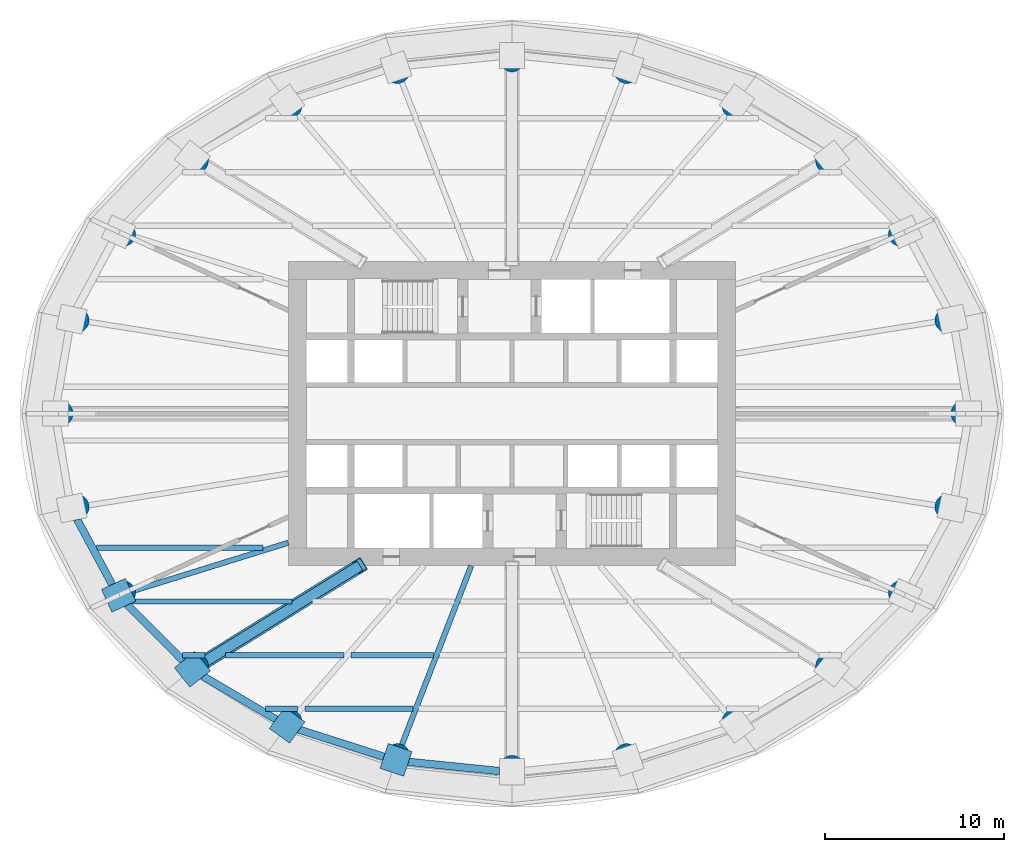
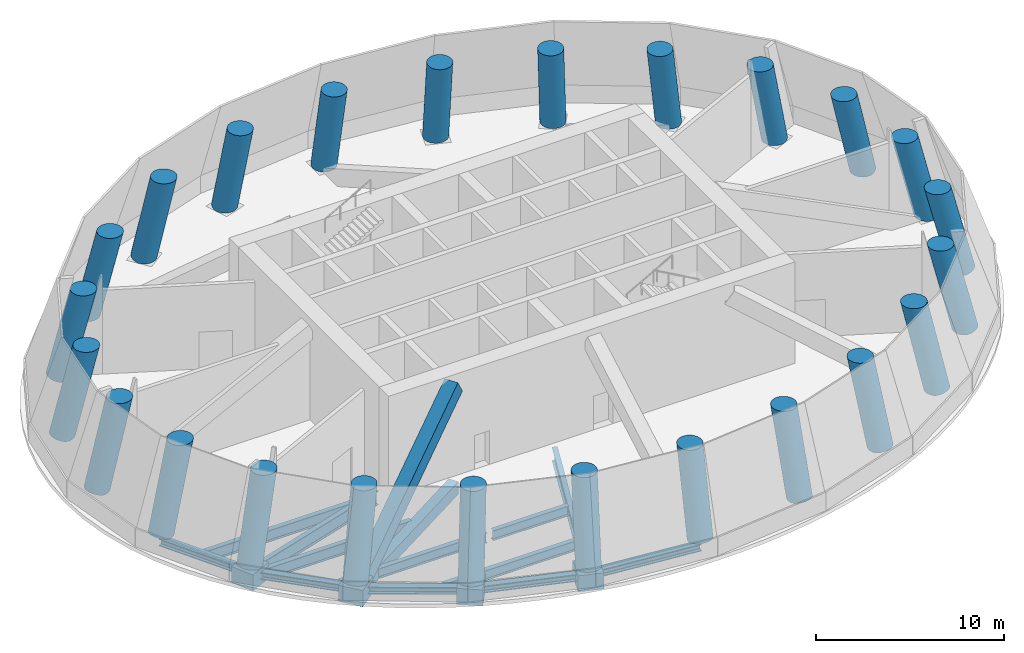
# One storey, part 1 of 7: 24 columns, 19 beams, 1 member.
"""IFC4 building model written with IfcOpenShell, lengths in metres."""

from ifc_helpers import new_model, si_unit, direction, frame, origin, origin_2d, place, context, subcontext, project, spatial, rectangle, hollow_rectangle, circle, i_section, extrude, clip, halfspace, material, material_profile, profile_set, type_object, element, save


model = new_model("IFC4")

# Units and contexts
model_context = context("Model", 3, precision=1e-05, world=origin(), true_north=direction((0.0, 1.0)))
body_context = subcontext(model_context, "Body", "Model", "MODEL_VIEW")
ifc_project = project(units=[si_unit("LENGTHUNIT", "METRE"), si_unit("AREAUNIT", "SQUARE_METRE"), si_unit("VOLUMEUNIT", "CUBIC_METRE"), si_unit("PLANEANGLEUNIT", "RADIAN"), si_unit("MASSUNIT", "GRAM", prefix="KILO")], contexts=[model_context])

# Site, building, storey
site_placement = place(None, origin())
site = spatial("IfcSite", under=ifc_project, at=site_placement, CompositionType="ELEMENT")
building_placement = place(site_placement, origin())
building = spatial("IfcBuilding", under=site, at=building_placement, Name="Hankou Lantern Tower", CompositionType="ELEMENT")
storey_placement = place(building_placement, frame((0.0, 0.0, 93.60009765625)))
storey = spatial("IfcBuildingStorey", under=building, at=storey_placement, Name="L24", CompositionType="ELEMENT", Elevation=93.60009765625)

# Columns
ifc_material_1 = material(Name="Concrete C60", Category="concrete")
ifc_material_profile_1 = material_profile(ifc_material_1, circle(Radius=0.699951171875, at=origin_2d()), Name="RC D1400")
ifc_profile_set_1 = profile_set([ifc_material_profile_1], Name="Concrete C60")
column_type = type_object("IfcColumnType", Name="TC2 PERIMETER COLUMN RC D1400", PredefinedType="COLUMN", material=ifc_profile_set_1)
column_1_placement = place(storey_placement, frame((25.550048828125, 0.0, 0.0), z_axis=(-0.242560957029, 0.0, 0.970136166796), x_axis=(0.0, -1.0, 0.0)))
element("IfcColumn", 1, at=column_1_placement, inside=storey, type_object=column_type, Name="Column R01 L24", PredefinedType="COLUMN", context=body_context, shape_type="Clipping", body=[
    clip(clip(extrude(circle(Radius=0.699951171875, at=origin_2d()), origin(), (0.0, 0.0, 1.0), 6.802978515625), halfspace(frame((0.0, 0.0, 0.0), z_axis=(0.0, -0.242560957029, -0.970136166796), x_axis=(0.0, 0.970136166796, -0.242560957029)), False)), halfspace(frame((0.0, 0.0, 5.720703125), z_axis=(0.0, 0.242560957029, 0.970136166796), x_axis=(0.0, 0.970136166796, -0.242560957029)), False)),
])
column_2_placement = place(storey_placement, frame((24.64697265625, 5.283203125, 0.0), z_axis=(-0.234202233808, -0.050173366145, 0.970892345736), x_axis=(0.209477886558, -0.97781338457, 0.0)))
element("IfcColumn", 2, at=column_2_placement, inside=storey, type_object=column_type, Name="Column R02 L24", PredefinedType="COLUMN", context=body_context, shape_type="Clipping", body=[
    clip(clip(extrude(circle(Radius=0.699951171875, at=origin_2d()), origin(), (0.0, 0.0, 1.0), 6.797607421875), halfspace(frame((0.0, 0.0, 0.0), z_axis=(0.0, -0.239516289616, -0.970892345736), x_axis=(0.209477886558, 0.949351530637, -0.234202233808)), False)), halfspace(frame((0.0, 0.0, 5.71630859375), z_axis=(0.0, 0.239516289616, 0.970892345736), x_axis=(0.209477886558, 0.949351530637, -0.234202233808)), False)),
])
column_3_placement = place(storey_placement, frame((22.01904296875, 10.170166015625, 0.0), z_axis=(-0.209822997529, -0.096921669356, 0.972923686482), x_axis=(0.419344523053, -0.907827170218, 0.0)))
element("IfcColumn", 3, at=column_3_placement, inside=storey, type_object=column_type, Name="Column R03 L24", PredefinedType="COLUMN", context=body_context, shape_type="Clipping", body=[
    clip(clip(extrude(circle(Radius=0.699951171875, at=origin_2d()), origin(), (0.0, 0.0, 1.0), 6.783447265625), halfspace(frame((0.0, 0.0, 0.0), z_axis=(0.0, -0.231126589302, -0.972923686482), x_axis=(0.419344523053, 0.883246557137, -0.209822997529)), False)), halfspace(frame((0.0, 0.0, 5.704345703125), z_axis=(0.0, 0.231126589302, 0.972923686482), x_axis=(0.419344523053, 0.883246557137, -0.209822997529)), False)),
])
column_4_placement = place(storey_placement, frame((17.891845703125, 14.3134765625, 0.0), z_axis=(-0.171184653926, -0.136933286316, 0.975676734046), x_axis=(0.624654889941, -0.78090093384, 0.0)))
element("IfcColumn", 4, at=column_4_placement, inside=storey, type_object=column_type, Name="Column R04 L24", PredefinedType="COLUMN", context=body_context, shape_type="Clipping", body=[
    clip(clip(extrude(circle(Radius=0.699951171875, at=origin_2d()), origin(), (0.0, 0.0, 1.0), 6.764404296875), halfspace(frame((0.0, 0.0, 0.0), z_axis=(0.0, -0.219214303003, -0.975676734046), x_axis=(0.624654889941, 0.761906872743, -0.171184653926)), False)), halfspace(frame((0.0, 0.0, 5.688232421875), z_axis=(0.0, 0.219214303003, 0.975676734046), x_axis=(0.624654889941, 0.761906872743, -0.171184653926)), False)),
])
column_5_placement = place(storey_placement, frame((12.5908203125, 17.446533203125, 0.0), z_axis=(-0.120887102029, -0.167540836914, 0.97842545783), x_axis=(0.810942460536, -0.585125905852, 0.0)))
element("IfcColumn", 5, at=column_5_placement, inside=storey, type_object=column_type, Name="Column R05 L24", PredefinedType="COLUMN", context=body_context, shape_type="Clipping", body=[
    clip(clip(extrude(circle(Radius=0.699951171875, at=origin_2d()), origin(), (0.0, 0.0, 1.0), 6.745361328125), halfspace(frame((0.0, 0.0, 0.0), z_axis=(0.0, -0.206600153608, -0.97842545783), x_axis=(0.810942460536, 0.572502082322, -0.120887102029)), False)), halfspace(frame((0.0, 0.0, 5.67236328125), z_axis=(0.0, 0.206600153608, 0.97842545783), x_axis=(0.810942460536, 0.572502082322, -0.120887102029)), False)),
])
column_6_placement = place(storey_placement, frame((6.494873046875, 19.391357421875, 0.0), z_axis=(-0.062525474961, -0.186706000637, 0.980424109407), x_axis=(0.948240300993, -0.317553667232, 0.0)))
element("IfcColumn", 6, at=column_6_placement, inside=storey, type_object=column_type, Name="Column R06 L24", PredefinedType="COLUMN", context=body_context, shape_type="Clipping", body=[
    clip(clip(extrude(circle(Radius=0.699951171875, at=origin_2d()), origin(), (0.0, 0.0, 1.0), 6.731689453125), halfspace(frame((0.0, 0.0, 0.0), z_axis=(0.0, -0.196897348111, -0.980424109407), x_axis=(0.948240300993, 0.311337271385, -0.062525474961)), False)), halfspace(frame((0.0, 0.0, 5.66064453125), z_axis=(0.0, 0.196897348111, 0.980424109407), x_axis=(0.948240300993, 0.311337271385, -0.062525474961)), False)),
])
column_7_placement = place(storey_placement, frame((0.0, 20.050048828125, 0.0), z_axis=(0.0, -0.193267594922, 0.981146083289), x_axis=(1.0, 0.0, 0.0)))
element("IfcColumn", 7, at=column_7_placement, inside=storey, type_object=column_type, Name="Column R07 L24", PredefinedType="COLUMN", context=body_context, shape_type="Clipping", body=[
    clip(clip(extrude(circle(Radius=0.699951171875, at=origin_2d()), origin(), (0.0, 0.0, 1.0), 6.7265625), halfspace(frame((0.0, 0.0, 0.0), z_axis=(0.0, -0.193267594922, -0.981146083289), x_axis=(1.0, 0.0, 0.0)), False)), halfspace(frame((0.0, 0.0, 5.656494140625), z_axis=(0.0, 0.193267594922, 0.981146083289), x_axis=(1.0, 0.0, 0.0)), False)),
])
column_8_placement = place(storey_placement, frame((-6.494873046875, 19.391357421875, 0.0), z_axis=(0.062525474961, -0.186706000637, 0.980424109407), x_axis=(0.948240300993, 0.317553667232, 0.0)))
element("IfcColumn", 8, at=column_8_placement, inside=storey, type_object=column_type, Name="Column R08 L24", PredefinedType="COLUMN", context=body_context, shape_type="Clipping", body=[
    clip(clip(extrude(circle(Radius=0.699951171875, at=origin_2d()), origin(), (0.0, 0.0, 1.0), 6.731689453125), halfspace(frame((0.0, 0.0, 0.0), z_axis=(0.0, -0.196897348111, -0.980424109407), x_axis=(0.948240300993, -0.311337271385, 0.062525474961)), False)), halfspace(frame((0.0, 0.0, 5.66064453125), z_axis=(0.0, 0.196897348111, 0.980424109407), x_axis=(0.948240300993, -0.311337271385, 0.062525474961)), False)),
])
column_9_placement = place(storey_placement, frame((-12.5908203125, 17.446533203125, 0.0), z_axis=(0.120887102029, -0.167540836914, 0.97842545783), x_axis=(0.810942460536, 0.585125905852, 0.0)))
element("IfcColumn", 9, at=column_9_placement, inside=storey, type_object=column_type, Name="Column R09 L24", PredefinedType="COLUMN", context=body_context, shape_type="Clipping", body=[
    clip(clip(extrude(circle(Radius=0.699951171875, at=origin_2d()), origin(), (0.0, 0.0, 1.0), 6.745361328125), halfspace(frame((0.0, 0.0, 0.0), z_axis=(0.0, -0.206600153608, -0.97842545783), x_axis=(0.810942460536, -0.572502082322, 0.120887102029)), False)), halfspace(frame((0.0, 0.0, 5.67236328125), z_axis=(0.0, 0.206600153608, 0.97842545783), x_axis=(0.810942460536, -0.572502082322, 0.120887102029)), False)),
])
column_10_placement = place(storey_placement, frame((-17.891845703125, 14.3134765625, 0.0), z_axis=(0.171184653926, -0.136933286316, 0.975676734046), x_axis=(0.624654889941, 0.78090093384, 0.0)))
element("IfcColumn", 10, at=column_10_placement, inside=storey, type_object=column_type, Name="Column R10 L24", PredefinedType="COLUMN", context=body_context, shape_type="Clipping", body=[
    clip(clip(extrude(circle(Radius=0.699951171875, at=origin_2d()), origin(), (0.0, 0.0, 1.0), 6.764404296875), halfspace(frame((0.0, 0.0, 0.0), z_axis=(0.0, -0.219214303003, -0.975676734046), x_axis=(0.624654889941, -0.761906872743, 0.171184653926)), False)), halfspace(frame((0.0, 0.0, 5.688232421875), z_axis=(0.0, 0.219214303003, 0.975676734046), x_axis=(0.624654889941, -0.761906872743, 0.171184653926)), False)),
])
column_11_placement = place(storey_placement, frame((-22.01904296875, 10.170166015625, 0.0), z_axis=(0.209822997529, -0.096921669356, 0.972923686482), x_axis=(0.419344523053, 0.907827170218, 0.0)))
element("IfcColumn", 11, at=column_11_placement, inside=storey, type_object=column_type, Name="Column R11 L24", PredefinedType="COLUMN", context=body_context, shape_type="Clipping", body=[
    clip(clip(extrude(circle(Radius=0.699951171875, at=origin_2d()), origin(), (0.0, 0.0, 1.0), 6.783447265625), halfspace(frame((0.0, 0.0, 0.0), z_axis=(0.0, -0.231126589302, -0.972923686482), x_axis=(0.419344523053, -0.883246557137, 0.209822997529)), False)), halfspace(frame((0.0, 0.0, 5.704345703125), z_axis=(0.0, 0.231126589302, 0.972923686482), x_axis=(0.419344523053, -0.883246557137, 0.209822997529)), False)),
])
column_12_placement = place(storey_placement, frame((-24.64697265625, 5.283203125, 0.0), z_axis=(0.234202233808, -0.050173366145, 0.970892345736), x_axis=(0.209477886558, 0.97781338457, 0.0)))
element("IfcColumn", 12, at=column_12_placement, inside=storey, type_object=column_type, Name="Column R12 L24", PredefinedType="COLUMN", context=body_context, shape_type="Clipping", body=[
    clip(clip(extrude(circle(Radius=0.699951171875, at=origin_2d()), origin(), (0.0, 0.0, 1.0), 6.797607421875), halfspace(frame((0.0, 0.0, 0.0), z_axis=(0.0, -0.239516289616, -0.970892345736), x_axis=(0.209477886558, -0.949351530637, 0.234202233808)), False)), halfspace(frame((0.0, 0.0, 5.71630859375), z_axis=(0.0, 0.239516289616, 0.970892345736), x_axis=(0.209477886558, -0.949351530637, 0.234202233808)), False)),
])
column_13_placement = place(storey_placement, frame((-25.550048828125, 0.0, 0.0), z_axis=(0.242560957029, 0.0, 0.970136166796), x_axis=(0.0, 1.0, 0.0)))
element("IfcColumn", 13, at=column_13_placement, inside=storey, type_object=column_type, Name="Column R13 L24", PredefinedType="COLUMN", context=body_context, shape_type="Clipping", body=[
    clip(clip(extrude(circle(Radius=0.699951171875, at=origin_2d()), origin(), (0.0, 0.0, 1.0), 6.802978515625), halfspace(frame((0.0, 0.0, 0.0), z_axis=(0.0, -0.242560957029, -0.970136166796), x_axis=(0.0, -0.970136166796, 0.242560957029)), False)), halfspace(frame((0.0, 0.0, 5.720703125), z_axis=(0.0, 0.242560957029, 0.970136166796), x_axis=(0.0, -0.970136166796, 0.242560957029)), False)),
])
column_14_placement = place(storey_placement, frame((-24.64697265625, -5.283203125, 0.0), z_axis=(0.234202233808, 0.050173366145, 0.970892345736), x_axis=(-0.209477886558, 0.97781338457, 0.0)))
element("IfcColumn", 14, at=column_14_placement, inside=storey, type_object=column_type, Name="Column R14 L24", PredefinedType="COLUMN", context=body_context, shape_type="Clipping", body=[
    clip(clip(extrude(circle(Radius=0.699951171875, at=origin_2d()), origin(), (0.0, 0.0, 1.0), 6.797607421875), halfspace(frame((0.0, 0.0, 0.0), z_axis=(0.0, -0.239516289616, -0.970892345736), x_axis=(-0.209477886558, -0.949351530637, 0.234202233808)), False)), halfspace(frame((0.0, 0.0, 5.71630859375), z_axis=(0.0, 0.239516289616, 0.970892345736), x_axis=(-0.209477886558, -0.949351530637, 0.234202233808)), False)),
])
column_15_placement = place(storey_placement, frame((-22.01904296875, -10.170166015625, 0.0), z_axis=(0.209822997529, 0.096921669356, 0.972923686482), x_axis=(-0.419344523053, 0.907827170218, 0.0)))
element("IfcColumn", 15, at=column_15_placement, inside=storey, type_object=column_type, Name="Column R15 L24", PredefinedType="COLUMN", context=body_context, shape_type="Clipping", body=[
    clip(clip(extrude(circle(Radius=0.699951171875, at=origin_2d()), origin(), (0.0, 0.0, 1.0), 6.783447265625), halfspace(frame((0.0, 0.0, 0.0), z_axis=(0.0, -0.231126589302, -0.972923686482), x_axis=(-0.419344523053, -0.883246557137, 0.209822997529)), False)), halfspace(frame((0.0, 0.0, 5.704345703125), z_axis=(0.0, 0.231126589302, 0.972923686482), x_axis=(-0.419344523053, -0.883246557137, 0.209822997529)), False)),
])
column_16_placement = place(storey_placement, frame((-17.891845703125, -14.3134765625, 0.0), z_axis=(0.171184653926, 0.136933286316, 0.975676734046), x_axis=(-0.624654889941, 0.78090093384, 0.0)))
element("IfcColumn", 16, at=column_16_placement, inside=storey, type_object=column_type, Name="Column R16 L24", PredefinedType="COLUMN", context=body_context, shape_type="Clipping", body=[
    clip(clip(extrude(circle(Radius=0.699951171875, at=origin_2d()), origin(), (0.0, 0.0, 1.0), 6.764404296875), halfspace(frame((0.0, 0.0, 0.0), z_axis=(0.0, -0.219214303003, -0.975676734046), x_axis=(-0.624654889941, -0.761906872743, 0.171184653926)), False)), halfspace(frame((0.0, 0.0, 5.688232421875), z_axis=(0.0, 0.219214303003, 0.975676734046), x_axis=(-0.624654889941, -0.761906872743, 0.171184653926)), False)),
])
column_17_placement = place(storey_placement, frame((-12.5908203125, -17.446533203125, 0.0), z_axis=(0.120887102029, 0.167540836914, 0.97842545783), x_axis=(-0.810942460536, 0.585125905852, 0.0)))
element("IfcColumn", 17, at=column_17_placement, inside=storey, type_object=column_type, Name="Column R17 L24", PredefinedType="COLUMN", context=body_context, shape_type="Clipping", body=[
    clip(clip(extrude(circle(Radius=0.699951171875, at=origin_2d()), origin(), (0.0, 0.0, 1.0), 6.745361328125), halfspace(frame((0.0, 0.0, 0.0), z_axis=(0.0, -0.206600153608, -0.97842545783), x_axis=(-0.810942460536, -0.572502082322, 0.120887102029)), False)), halfspace(frame((0.0, 0.0, 5.67236328125), z_axis=(0.0, 0.206600153608, 0.97842545783), x_axis=(-0.810942460536, -0.572502082322, 0.120887102029)), False)),
])
column_18_placement = place(storey_placement, frame((-6.494873046875, -19.391357421875, 0.0), z_axis=(0.062525474961, 0.186706000637, 0.980424109407), x_axis=(-0.948240300993, 0.317553667232, 0.0)))
element("IfcColumn", 18, at=column_18_placement, inside=storey, type_object=column_type, Name="Column R18 L24", PredefinedType="COLUMN", context=body_context, shape_type="Clipping", body=[
    clip(clip(extrude(circle(Radius=0.699951171875, at=origin_2d()), origin(), (0.0, 0.0, 1.0), 6.731689453125), halfspace(frame((0.0, 0.0, 0.0), z_axis=(0.0, -0.196897348111, -0.980424109407), x_axis=(-0.948240300993, -0.311337271385, 0.062525474961)), False)), halfspace(frame((0.0, 0.0, 5.66064453125), z_axis=(0.0, 0.196897348111, 0.980424109407), x_axis=(-0.948240300993, -0.311337271385, 0.062525474961)), False)),
])
column_19_placement = place(storey_placement, frame((0.0, -20.050048828125, 0.0), z_axis=(0.0, 0.193267594922, 0.981146083289), x_axis=(-1.0, 0.0, 0.0)))
element("IfcColumn", 19, at=column_19_placement, inside=storey, type_object=column_type, Name="Column R19 L24", PredefinedType="COLUMN", context=body_context, shape_type="Clipping", body=[
    clip(clip(extrude(circle(Radius=0.699951171875, at=origin_2d()), origin(), (0.0, 0.0, 1.0), 6.7265625), halfspace(frame((0.0, 0.0, 0.0), z_axis=(0.0, -0.193267594922, -0.981146083289), x_axis=(-1.0, 0.0, 0.0)), False)), halfspace(frame((0.0, 0.0, 5.656494140625), z_axis=(0.0, 0.193267594922, 0.981146083289), x_axis=(-1.0, 0.0, 0.0)), False)),
])
column_20_placement = place(storey_placement, frame((6.494873046875, -19.391357421875, 0.0), z_axis=(-0.062525474961, 0.186706000637, 0.980424109407), x_axis=(-0.948240300993, -0.317553667232, 0.0)))
element("IfcColumn", 20, at=column_20_placement, inside=storey, type_object=column_type, Name="Column R20 L24", PredefinedType="COLUMN", context=body_context, shape_type="Clipping", body=[
    clip(clip(extrude(circle(Radius=0.699951171875, at=origin_2d()), origin(), (0.0, 0.0, 1.0), 6.731689453125), halfspace(frame((0.0, 0.0, 0.0), z_axis=(0.0, -0.196897348111, -0.980424109407), x_axis=(-0.948240300993, 0.311337271385, -0.062525474961)), False)), halfspace(frame((0.0, 0.0, 5.66064453125), z_axis=(0.0, 0.196897348111, 0.980424109407), x_axis=(-0.948240300993, 0.311337271385, -0.062525474961)), False)),
])
column_21_placement = place(storey_placement, frame((12.5908203125, -17.446533203125, 0.0), z_axis=(-0.120887102029, 0.167540836914, 0.97842545783), x_axis=(-0.810942460536, -0.585125905852, 0.0)))
element("IfcColumn", 21, at=column_21_placement, inside=storey, type_object=column_type, Name="Column R21 L24", PredefinedType="COLUMN", context=body_context, shape_type="Clipping", body=[
    clip(clip(extrude(circle(Radius=0.699951171875, at=origin_2d()), origin(), (0.0, 0.0, 1.0), 6.745361328125), halfspace(frame((0.0, 0.0, 0.0), z_axis=(0.0, -0.206600153608, -0.97842545783), x_axis=(-0.810942460536, 0.572502082322, -0.120887102029)), False)), halfspace(frame((0.0, 0.0, 5.67236328125), z_axis=(0.0, 0.206600153608, 0.97842545783), x_axis=(-0.810942460536, 0.572502082322, -0.120887102029)), False)),
])
column_22_placement = place(storey_placement, frame((17.891845703125, -14.3134765625, 0.0), z_axis=(-0.171184653926, 0.136933286316, 0.975676734046), x_axis=(-0.624654889941, -0.78090093384, 0.0)))
element("IfcColumn", 22, at=column_22_placement, inside=storey, type_object=column_type, Name="Column R22 L24", PredefinedType="COLUMN", context=body_context, shape_type="Clipping", body=[
    clip(clip(extrude(circle(Radius=0.699951171875, at=origin_2d()), origin(), (0.0, 0.0, 1.0), 6.764404296875), halfspace(frame((0.0, 0.0, 0.0), z_axis=(0.0, -0.219214303003, -0.975676734046), x_axis=(-0.624654889941, 0.761906872743, -0.171184653926)), False)), halfspace(frame((0.0, 0.0, 5.688232421875), z_axis=(0.0, 0.219214303003, 0.975676734046), x_axis=(-0.624654889941, 0.761906872743, -0.171184653926)), False)),
])
column_23_placement = place(storey_placement, frame((22.01904296875, -10.170166015625, 0.0), z_axis=(-0.209822997529, 0.096921669356, 0.972923686482), x_axis=(-0.419344523053, -0.907827170218, 0.0)))
element("IfcColumn", 23, at=column_23_placement, inside=storey, type_object=column_type, Name="Column R23 L24", PredefinedType="COLUMN", context=body_context, shape_type="Clipping", body=[
    clip(clip(extrude(circle(Radius=0.699951171875, at=origin_2d()), origin(), (0.0, 0.0, 1.0), 6.783447265625), halfspace(frame((0.0, 0.0, 0.0), z_axis=(0.0, -0.231126589302, -0.972923686482), x_axis=(-0.419344523053, 0.883246557137, -0.209822997529)), False)), halfspace(frame((0.0, 0.0, 5.704345703125), z_axis=(0.0, 0.231126589302, 0.972923686482), x_axis=(-0.419344523053, 0.883246557137, -0.209822997529)), False)),
])
column_24_placement = place(storey_placement, frame((24.64697265625, -5.283203125, 0.0), z_axis=(-0.234202233808, 0.050173366145, 0.970892345736), x_axis=(-0.209477886558, -0.97781338457, 0.0)))
element("IfcColumn", 24, at=column_24_placement, inside=storey, type_object=column_type, Name="Column R24 L24", PredefinedType="COLUMN", context=body_context, shape_type="Clipping", body=[
    clip(clip(extrude(circle(Radius=0.699951171875, at=origin_2d()), origin(), (0.0, 0.0, 1.0), 6.797607421875), halfspace(frame((0.0, 0.0, 0.0), z_axis=(0.0, -0.239516289616, -0.970892345736), x_axis=(-0.209477886558, 0.949351530637, -0.234202233808)), False)), halfspace(frame((0.0, 0.0, 5.71630859375), z_axis=(0.0, 0.239516289616, 0.970892345736), x_axis=(-0.209477886558, 0.949351530637, -0.234202233808)), False)),
])

# Beams
ifc_material_2 = material(Name="Steel Q355B", Category="steel")
ifc_material_profile_2 = material_profile(ifc_material_2, i_section(OverallWidth=0.4169921875, OverallDepth=0.4580078125, WebThickness=0.030029296875, FlangeThickness=0.050048828125, FilletRadius=0.02197265625, at=origin_2d()), Name="HW458x417x30x50")
ifc_profile_set_2 = profile_set([ifc_material_profile_2], Name="Steel Q355B")
beam_type_1 = type_object("IfcBeamType", Name="EB21 RING BEAM HW458x417x30x50", PredefinedType="SPANDREL", material=ifc_profile_set_2)
beam_1_placement = place(storey_placement, frame((-24.64697265625, -5.283203125, -0.47900390625), z_axis=(0.473609096023, -0.880735161194, 0.0), x_axis=(0.880735161194, 0.473609096023, 0.0)))
element("IfcBeam", 25, at=beam_1_placement, inside=storey, type_object=beam_type_1, Name="Ring beam R14-R15 L24", PredefinedType="SPANDREL", context=body_context, shape_type="SweptSolid", body=[
    extrude(i_section(OverallWidth=0.4169921875, OverallDepth=0.4580078125, WebThickness=0.030029296875, FlangeThickness=0.050048828125, FilletRadius=0.02197265625, at=origin_2d()), origin(), (0.0, 0.0, 1.0), 5.548828125),
])
beam_2_placement = place(storey_placement, frame((-22.01904296875, -10.170166015625, -0.47900390625), z_axis=(0.705727798394, -0.708483079949, 0.0), x_axis=(0.708483079949, 0.705727798394, 0.0)))
element("IfcBeam", 26, at=beam_2_placement, inside=storey, type_object=beam_type_1, Name="Ring beam R15-R16 L24", PredefinedType="SPANDREL", context=body_context, shape_type="SweptSolid", body=[
    extrude(i_section(OverallWidth=0.4169921875, OverallDepth=0.4580078125, WebThickness=0.030029296875, FlangeThickness=0.050048828125, FilletRadius=0.02197265625, at=origin_2d()), origin(), (0.0, 0.0, 1.0), 5.84814453125),
])
beam_3_placement = place(storey_placement, frame((-17.891845703125, -14.3134765625, -0.47900390625), z_axis=(0.860881533543, -0.508805449268, 0.0), x_axis=(0.508805449268, 0.860881533543, 0.0)))
element("IfcBeam", 27, at=beam_3_placement, inside=storey, type_object=beam_type_1, Name="Ring beam R16-R17 L24", PredefinedType="SPANDREL", context=body_context, shape_type="SweptSolid", body=[
    extrude(i_section(OverallWidth=0.4169921875, OverallDepth=0.4580078125, WebThickness=0.030029296875, FlangeThickness=0.050048828125, FilletRadius=0.02197265625, at=origin_2d()), origin(), (0.0, 0.0, 1.0), 6.15771484375),
])
beam_4_placement = place(storey_placement, frame((-12.5908203125, -17.446533203125, -0.47900390625), z_axis=(0.952690479428, -0.303942182671, 0.0), x_axis=(0.303942182671, 0.952690479428, 0.0)))
element("IfcBeam", 28, at=beam_4_placement, inside=storey, type_object=beam_type_1, Name="Ring beam R17-R18 L24", PredefinedType="SPANDREL", context=body_context, shape_type="SweptSolid", body=[
    extrude(i_section(OverallWidth=0.4169921875, OverallDepth=0.4580078125, WebThickness=0.030029296875, FlangeThickness=0.050048828125, FilletRadius=0.02197265625, at=origin_2d()), origin(), (0.0, 0.0, 1.0), 6.398681640625),
])
beam_5_placement = place(storey_placement, frame((-6.494873046875, -19.391357421875, -0.47900390625), z_axis=(0.994896616842, -0.100899562915, 0.0), x_axis=(0.100899562915, 0.994896616842, 0.0)))
element("IfcBeam", 29, at=beam_5_placement, inside=storey, type_object=beam_type_1, Name="Ring beam R18-R19 L24", PredefinedType="SPANDREL", context=body_context, shape_type="SweptSolid", body=[
    extrude(i_section(OverallWidth=0.4169921875, OverallDepth=0.4580078125, WebThickness=0.030029296875, FlangeThickness=0.050048828125, FilletRadius=0.02197265625, at=origin_2d()), origin(), (0.0, 0.0, 1.0), 6.528076171875),
])

# Member
ifc_material_3 = material(Name="Steel Q390GJ", Category="steel")
ifc_material_profile_3 = material_profile(ifc_material_3, hollow_rectangle(XDim=0.800048828125, YDim=1.0, WallThickness=0.06005859375, at=origin_2d()), Name="BOX1000x800x60")
ifc_profile_set_3 = profile_set([ifc_material_profile_3], Name="Steel Q390GJ")
member_type = type_object("IfcMemberType", Name="OD1 OUTRIGGER DIAGONAL BOX1000x800x60", PredefinedType="BRACE", material=ifc_profile_set_3)
member_placement = place(storey_placement, frame((-8.5, -8.5, 5.949951171875), z_axis=(-0.72990653743, -0.45180624579, -0.512940116273), x_axis=(0.526320372414, -0.850286343288, 0.0)))
element("IfcMember", 30, at=member_placement, inside=storey, type_object=member_type, Name="Outrigger diagonal R16 L24", PredefinedType="BRACE", context=body_context, shape_type="SweptSolid", body=[
    extrude(hollow_rectangle(XDim=0.800048828125, YDim=1.0, WallThickness=0.06005859375, at=origin_2d()), origin(), (0.0, 0.0, 1.0), 12.8671875),
])

# Beams
ifc_material_4 = material(Name="Steel Q390GJ", Category="steel")
ifc_material_profile_4 = material_profile(ifc_material_4, hollow_rectangle(XDim=0.60009765625, YDim=0.800048828125, WallThickness=0.050048828125, at=origin_2d()), Name="BOX800x600x50")
ifc_profile_set_4 = profile_set([ifc_material_profile_4], Name="Steel Q390GJ")
beam_type_2 = type_object("IfcBeamType", Name="OT1 OUTRIGGER CHORD BOX800x600x50", PredefinedType="BEAM", material=ifc_profile_set_4)
beam_6_placement = place(storey_placement, frame((-8.5, -8.5, -0.650146484375), z_axis=(-0.850286343288, -0.526320372414, 0.0), x_axis=(0.526320372414, -0.850286343288, 0.0)))
element("IfcBeam", 31, at=beam_6_placement, inside=storey, type_object=beam_type_2, Name="Radial beam R16 L24", PredefinedType="BEAM", context=body_context, shape_type="SweptSolid", body=[
    extrude(hollow_rectangle(XDim=0.60009765625, YDim=0.800048828125, WallThickness=0.050048828125, at=origin_2d()), origin(), (0.0, 0.0, 1.0), 11.04541015625),
])
ifc_material_5 = material(Name="Steel Q355B", Category="steel")
ifc_material_profile_5 = material_profile(ifc_material_5, i_section(OverallWidth=0.300048828125, OverallDepth=0.89990234375, WebThickness=0.01611328125, FlangeThickness=0.028076171875, FilletRadius=0.01806640625, at=origin_2d()), Name="HN900x300x16x28")
ifc_profile_set_5 = profile_set([ifc_material_profile_5], Name="Steel Q355B")
beam_type_3 = type_object("IfcBeamType", Name="RB13 RADIAL BEAM HN900x300x16x28", PredefinedType="BEAM", material=ifc_profile_set_5)
beam_7_placement = place(storey_placement, frame((-12.5, -7.216796875, -0.7001953125), z_axis=(-0.955087327755, -0.29632447817, 0.0), x_axis=(0.29632447817, -0.955087327755, 0.0)))
element("IfcBeam", 32, at=beam_7_placement, inside=storey, type_object=beam_type_3, Name="Radial beam R15 L24", PredefinedType="BEAM", context=body_context, shape_type="SweptSolid", body=[
    extrude(i_section(OverallWidth=0.300048828125, OverallDepth=0.89990234375, WebThickness=0.01611328125, FlangeThickness=0.028076171875, FilletRadius=0.01806640625, at=origin_2d()), origin(), (0.0, 0.0, 1.0), 9.966552734375),
])
beam_8_placement = place(storey_placement, frame((-2.277587890625, -8.5, -0.7001953125), z_axis=(-0.361089103374, -0.932531318201, 0.0), x_axis=(0.932531318201, -0.361089103374, 0.0)))
element("IfcBeam", 33, at=beam_8_placement, inside=storey, type_object=beam_type_3, Name="Radial beam R18 L24", PredefinedType="BEAM", context=body_context, shape_type="SweptSolid", body=[
    extrude(i_section(OverallWidth=0.300048828125, OverallDepth=0.89990234375, WebThickness=0.01611328125, FlangeThickness=0.028076171875, FilletRadius=0.01806640625, at=origin_2d()), origin(), (0.0, 0.0, 1.0), 11.679443359375),
])
ifc_material_6 = material(Name="Steel Q355B", Category="steel")
ifc_material_profile_6 = material_profile(ifc_material_6, i_section(OverallWidth=0.300048828125, OverallDepth=0.75, WebThickness=0.012939453125, FlangeThickness=0.02392578125, FilletRadius=0.01806640625, at=origin_2d()), Name="HN750x300x13x24")
ifc_profile_set_6 = profile_set([ifc_material_profile_6], Name="Steel Q355B")
beam_type_4 = type_object("IfcBeamType", Name="SB10 SECONDARY BEAM HN750x300x13x24", PredefinedType="JOIST", material=ifc_profile_set_6)
beam_9_placement = place(storey_placement, frame((-21.396240234375, -10.5, -0.625), z_axis=(1.0, 0.0, 0.0), x_axis=(0.0, 1.0, 0.0)))
element("IfcBeam", 34, at=beam_9_placement, inside=storey, type_object=beam_type_4, Name="Floor joist J015 L24", PredefinedType="JOIST", context=body_context, shape_type="SweptSolid", body=[
    extrude(i_section(OverallWidth=0.300048828125, OverallDepth=0.75, WebThickness=0.012939453125, FlangeThickness=0.02392578125, FilletRadius=0.01806640625, at=origin_2d()), origin(), (0.0, 0.0, 1.0), 9.09521484375),
])
beam_10_placement = place(storey_placement, frame((-23.21826171875, -7.5, -0.625), z_axis=(1.0, 0.0, 0.0), x_axis=(0.0, 1.0, 0.0)))
element("IfcBeam", 35, at=beam_10_placement, inside=storey, type_object=beam_type_4, Name="Floor joist J023 L24", PredefinedType="JOIST", context=body_context, shape_type="SweptSolid", body=[
    extrude(i_section(OverallWidth=0.300048828125, OverallDepth=0.75, WebThickness=0.012939453125, FlangeThickness=0.02392578125, FilletRadius=0.01806640625, at=origin_2d()), origin(), (0.0, 0.0, 1.0), 9.299560546875),
])
ifc_material_7 = material(Name="Steel Q355B", Category="steel")
ifc_material_profile_7 = material_profile(ifc_material_7, i_section(OverallWidth=0.300048828125, OverallDepth=0.64990234375, WebThickness=0.010986328125, FlangeThickness=0.01708984375, FilletRadius=0.01806640625, at=origin_2d()), Name="HN650x300x11x17")
ifc_profile_set_7 = profile_set([ifc_material_profile_7], Name="Steel Q355B")
beam_type_5 = type_object("IfcBeamType", Name="SB8 SECONDARY BEAM HN650x300x11x17", PredefinedType="JOIST", material=ifc_profile_set_7)
beam_11_placement = place(storey_placement, frame((-13.782470703125, -16.5, -0.5751953125), z_axis=(1.0, 0.0, 0.0), x_axis=(0.0, 1.0, 0.0)))
element("IfcBeam", 36, at=beam_11_placement, inside=storey, type_object=beam_type_5, Name="Floor joist J001 L24", PredefinedType="JOIST", context=body_context, shape_type="SweptSolid", body=[
    extrude(i_section(OverallWidth=0.300048828125, OverallDepth=0.64990234375, WebThickness=0.010986328125, FlangeThickness=0.01708984375, FilletRadius=0.01806640625, at=origin_2d()), origin(), (0.0, 0.0, 1.0), 1.806640625),
])
beam_12_placement = place(storey_placement, frame((-11.580322265625, -16.5, -0.5751953125), z_axis=(1.0, 0.0, 0.0), x_axis=(0.0, 1.0, 0.0)))
element("IfcBeam", 37, at=beam_12_placement, inside=storey, type_object=beam_type_5, Name="Floor joist J002 L24", PredefinedType="JOIST", context=body_context, shape_type="SweptSolid", body=[
    extrude(i_section(OverallWidth=0.300048828125, OverallDepth=0.64990234375, WebThickness=0.010986328125, FlangeThickness=0.01708984375, FilletRadius=0.01806640625, at=origin_2d()), origin(), (0.0, 0.0, 1.0), 6.044189453125),
])
beam_13_placement = place(storey_placement, frame((-18.40771484375, -13.5, -0.5751953125), z_axis=(1.0, 0.0, 0.0), x_axis=(0.0, 1.0, 0.0)))
element("IfcBeam", 38, at=beam_13_placement, inside=storey, type_object=beam_type_5, Name="Floor joist J007 L24", PredefinedType="JOIST", context=body_context, shape_type="SweptSolid", body=[
    extrude(i_section(OverallWidth=0.300048828125, OverallDepth=0.64990234375, WebThickness=0.010986328125, FlangeThickness=0.01708984375, FilletRadius=0.01806640625, at=origin_2d()), origin(), (0.0, 0.0, 1.0), 1.260009765625),
])
beam_14_placement = place(storey_placement, frame((-16.0078125, -13.5, -0.5751953125), z_axis=(1.0, 0.0, 0.0), x_axis=(0.0, 1.0, 0.0)))
element("IfcBeam", 39, at=beam_14_placement, inside=storey, type_object=beam_type_5, Name="Floor joist J008 L24", PredefinedType="JOIST", context=body_context, shape_type="SweptSolid", body=[
    extrude(i_section(OverallWidth=0.300048828125, OverallDepth=0.64990234375, WebThickness=0.010986328125, FlangeThickness=0.01708984375, FilletRadius=0.01806640625, at=origin_2d()), origin(), (0.0, 0.0, 1.0), 6.6083984375),
])
beam_15_placement = place(storey_placement, frame((-9.00390625, -13.5, -0.5751953125), z_axis=(1.0, 0.0, 0.0), x_axis=(0.0, 1.0, 0.0)))
element("IfcBeam", 40, at=beam_15_placement, inside=storey, type_object=beam_type_5, Name="Floor joist J009 L24", PredefinedType="JOIST", context=body_context, shape_type="SweptSolid", body=[
    extrude(i_section(OverallWidth=0.300048828125, OverallDepth=0.64990234375, WebThickness=0.010986328125, FlangeThickness=0.01708984375, FilletRadius=0.01806640625, at=origin_2d()), origin(), (0.0, 0.0, 1.0), 4.62939453125),
])
ifc_material_8 = material(Name="Concrete C60", Category="concrete")
ifc_material_profile_8 = material_profile(ifc_material_8, rectangle(XDim=1.39990234375, YDim=1.050048828125, at=origin_2d()), Name="RC 1400x1050")
ifc_profile_set_8 = profile_set([ifc_material_profile_8], Name="Concrete C60")
beam_type_6 = type_object("IfcBeamType", Name="TN1 TRANSFER NODE RC 1400x1050", PredefinedType="BEAM", material=ifc_profile_set_8)
for number, where, z_axis, x_axis, name in (
    (41, (-22.654541015625, -10.463623046875, -0.525146484375), (0.907881587246, 0.419226697074, 0.0), (-0.419226697074, 0.907881587246, 0.0), "Transfer node R15 L24"),
    (42, (-18.438232421875, -14.750732421875, -0.525146484375), (0.780771578752, 0.624816566532, 0.0), (-0.624816566532, 0.780771578752, 0.0), "Transfer node R16 L24"),
    (43, (-13.00048828125, -18.01416015625, -0.525146484375), (0.585096341769, 0.81096379133, 0.0), (-0.81096379133, 0.585096341769, 0.0), "Transfer node R17 L24"),
):
    element("IfcBeam", number, at=place(storey_placement, frame(where, z_axis=z_axis, x_axis=x_axis)), inside=storey, type_object=beam_type_6, Name=name, PredefinedType="BEAM", context=body_context, shape_type="SweptSolid", body=[
        extrude(rectangle(XDim=1.39990234375, YDim=1.050048828125, at=origin_2d()), origin(), (0.0, 0.0, 1.0), 1.469970703125),
    ])
beam_16_placement = place(storey_placement, frame((-6.71728515625, -20.05517578125, -0.525146484375), z_axis=(0.317672118321, 0.948200624995, 0.0), x_axis=(-0.948200624995, 0.317672118321, 0.0)))
element("IfcBeam", 44, at=beam_16_placement, inside=storey, type_object=beam_type_6, Name="Transfer node R18 L24", PredefinedType="BEAM", context=body_context, shape_type="SweptSolid", body=[
    extrude(rectangle(XDim=1.39990234375, YDim=1.050048828125, at=origin_2d()), origin(), (0.0, 0.0, 1.0), 1.47021484375),
])

save(model, "model.ifc")
